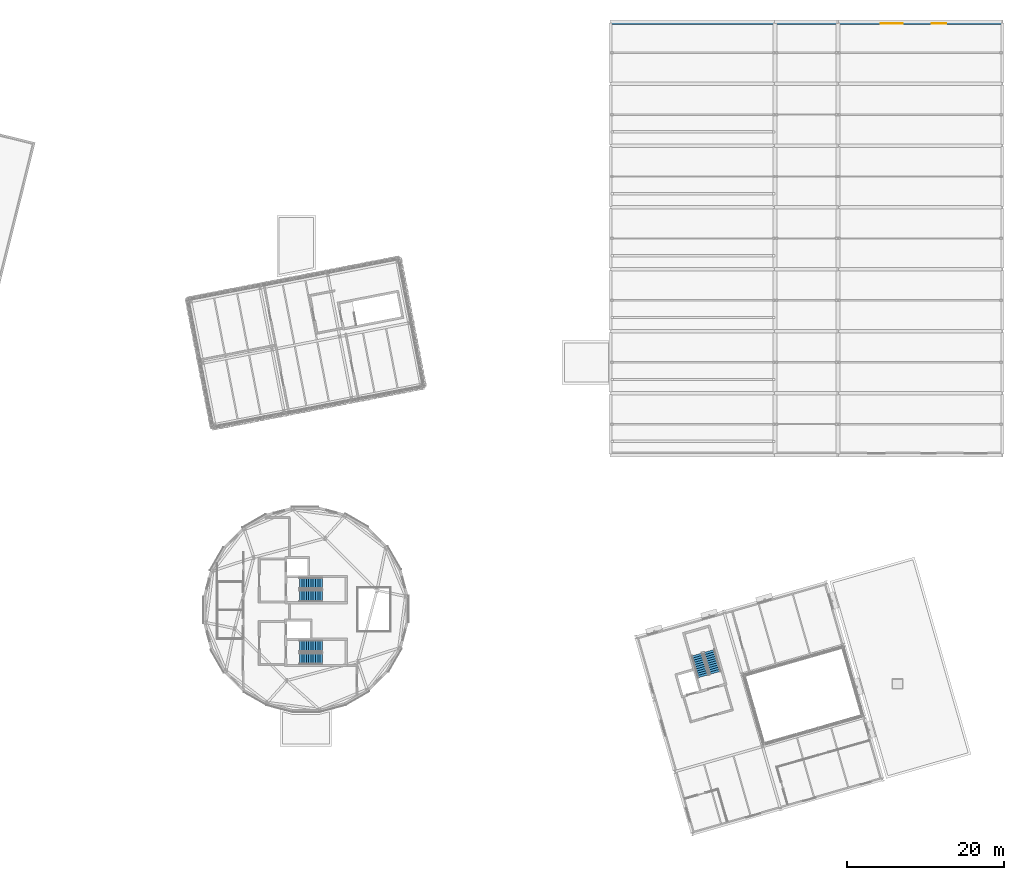
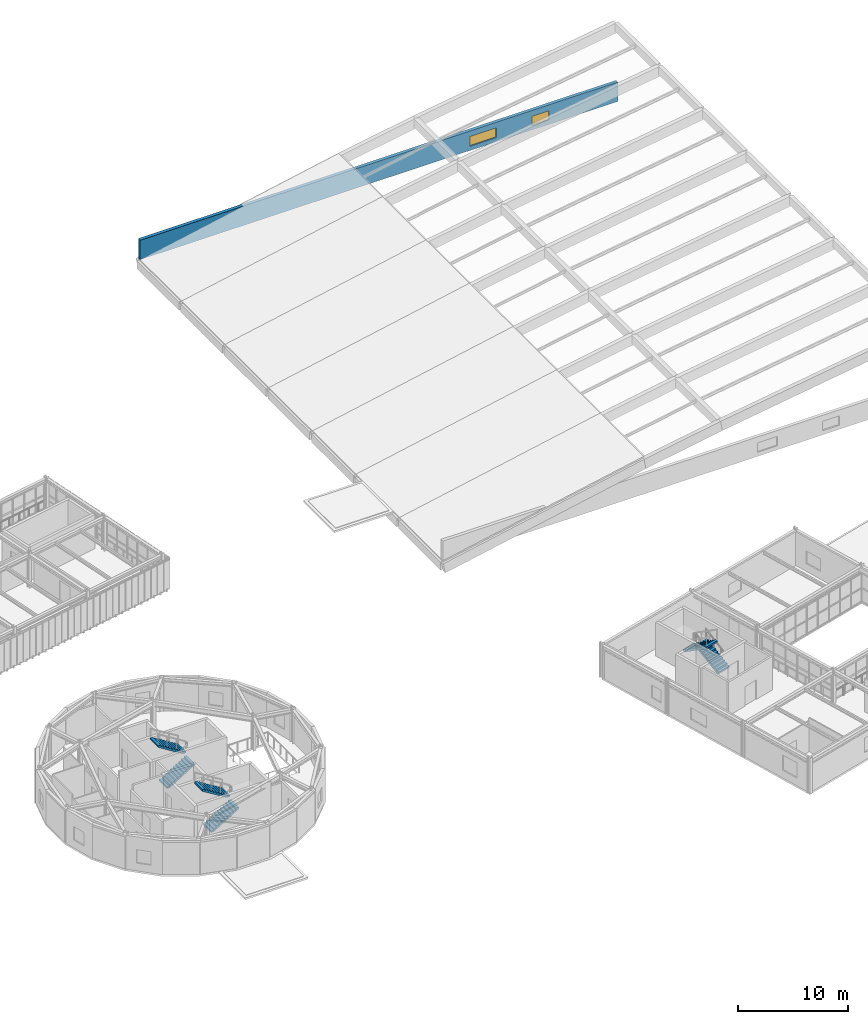
# One storey, part 32 of 44: 6 stair flights, 2 windows, 1 wall, 2 openings, 3 elements without a shape of their own.
"""IFC4 building model written with IfcOpenShell, lengths in metres."""

from ifc_helpers import new_model, si_unit, direction, frame, frame_2d, origin, place, context, subcontext, project, spatial, polyline, rectangle, outline, extrude, material, layer, layer_set, type_object, element, fill, aggregate, save


model = new_model("IFC4")

# Units and contexts
model_context = context("Model", 3, precision=1e-05, world=origin(), true_north=direction((0.0, 1.0)))
body_context = subcontext(model_context, "Body", "Model", "MODEL_VIEW")
ifc_project = project(units=[si_unit("LENGTHUNIT", "METRE"), si_unit("AREAUNIT", "SQUARE_METRE"), si_unit("VOLUMEUNIT", "CUBIC_METRE"), si_unit("PLANEANGLEUNIT", "RADIAN"), si_unit("MASSUNIT", "GRAM", prefix="KILO")], contexts=[model_context])

# Site, building, storey
site_placement = place(None, origin())
site = spatial("IfcSite", under=ifc_project, at=site_placement, CompositionType="ELEMENT")
building_placement = place(site_placement, origin())
building = spatial("IfcBuilding", under=site, at=building_placement, Name="Varnklinge Art Gallery", CompositionType="ELEMENT")
storey_placement = place(building_placement, frame((0.0, 0.0, 13.679931640625)))
storey = spatial("IfcBuildingStorey", under=building, at=storey_placement, Name="L03", CompositionType="ELEMENT", Elevation=13.679931640625)

# Wall, openings, windows
ifc_material_1 = material(Name="Precast concrete C40/50", Category="concrete")
ifc_layer = layer(ifc_material_1, 0.340087890625)
ifc_layer_set = layer_set([ifc_layer], Name="Precast concrete C40/50")
wall_type = type_object("IfcWallType", Name="EW-34", PredefinedType="SOLIDWALL", material=ifc_layer_set)
wall_placement = place(storey_placement, frame((114.39990234375, 113.300048828125, 0.0), z_axis=(0.0, 0.0, 1.0), x_axis=(1.0, 0.0, 0.0)))
wall = element("IfcWall", 1, at=wall_placement, inside=storey, type_object=wall_type, Name="L03 Shell Hall N Clerestory Monitor Wall", PredefinedType="SOLIDWALL", context=body_context, shape_type="SweptSolid", body=[
    extrude(rectangle(XDim=50.0, YDim=0.340087890625, at=frame_2d((25.0, 0.0))), origin(), (0.0, 0.0, 1.0), 2.150146484375),
])
opening_1_placement = place(wall_placement, frame((34.5, 0.0, 0.449951171875)))
opening_1 = element("IfcOpeningElement", 2, at=opening_1_placement, cuts=wall, Name="Opening SKY-02", PredefinedType="OPENING", context=body_context, shape_type="SweptSolid", body=[
    extrude(rectangle(XDim=2.800048828125, YDim=1.10009765625, at=frame_2d((1.39990234375, 0.550048828125))), frame((0.0, 0.179931640625, 0.0), z_axis=(0.0, -1.0, 0.0), x_axis=(1.0, 0.0, 0.0)), (0.0, 0.0, 1.0), 0.360107421875),
])
opening_2_placement = place(wall_placement, frame((41.0, 0.0, 0.449951171875)))
opening_2 = element("IfcOpeningElement", 3, at=opening_2_placement, cuts=wall, Name="Opening SKY-03", PredefinedType="OPENING", context=body_context, shape_type="SweptSolid", body=[
    extrude(rectangle(XDim=1.800048828125, YDim=1.050048828125, at=frame_2d((0.89990234375, 0.52490234375))), frame((0.0, 0.179931640625, 0.0), z_axis=(0.0, -1.0, 0.0), x_axis=(1.0, 0.0, 0.0)), (0.0, 0.0, 1.0), 0.360107421875),
])
ifc_material_2 = material(Name="Insulated Low-E Triple Glazing", Category="glass")
window_type_1 = type_object("IfcWindowType", Name="SKY-02", PartitioningType="SINGLE_PANEL", PredefinedType="SKYLIGHT", material=ifc_material_2)
window_1_placement = place(opening_1_placement, origin())
window_1 = element("IfcWindow", 4, at=window_1_placement, inside=storey, type_object=window_type_1, Name="L03 Window WIN-L03-045", OverallHeight=1.10009765625, OverallWidth=2.800048828125, PartitioningType="SINGLE_PANEL", PredefinedType="SKYLIGHT", context=body_context, shape_type="SweptSolid", body=[
    extrude(rectangle(XDim=2.800048828125, YDim=1.10009765625, at=frame_2d((1.39990234375, 0.550048828125))), frame((0.0, 0.030029296875, 0.0), z_axis=(0.0, -1.0, 0.0), x_axis=(1.0, 0.0, 0.0)), (0.0, 0.0, 1.0), 0.06005859375),
])
fill(opening_1, window_1)
ifc_material_3 = material(Name="Insulated Low-E Triple Glazing", Category="glass")
window_type_2 = type_object("IfcWindowType", Name="SKY-03", PartitioningType="SINGLE_PANEL", PredefinedType="SKYLIGHT", material=ifc_material_3)
window_2_placement = place(opening_2_placement, origin())
window_2 = element("IfcWindow", 5, at=window_2_placement, inside=storey, type_object=window_type_2, Name="L03 Window WIN-L03-046", OverallHeight=1.050048828125, OverallWidth=1.800048828125, PartitioningType="SINGLE_PANEL", PredefinedType="SKYLIGHT", context=body_context, shape_type="SweptSolid", body=[
    extrude(rectangle(XDim=1.800048828125, YDim=1.050048828125, at=frame_2d((0.89990234375, 0.52490234375))), frame((0.0, 0.030029296875, 0.0), z_axis=(0.0, -1.0, 0.0), x_axis=(1.0, 0.0, 0.0)), (0.0, 0.0, 1.0), 0.06005859375),
])
fill(opening_2, window_2)

# Stair, stair flights
ifc_material_4 = material(Name="Concrete C40/50", Category="concrete")
stair_type = type_object("IfcStairType", Name="STR-C3960", PredefinedType="HALF_TURN_STAIR", material=ifc_material_4)
stair_1_placement = place(storey_placement, origin())
stair_1 = element("IfcStair", 6, at=stair_1_placement, inside=storey, type_object=stair_type, Name="L03 Core C1 Stair ST-01", PredefinedType="HALF_TURN_STAIR")
ifc_material_5 = material(Name="Concrete C40/50", Category="concrete")
stair_flight_type = type_object("IfcStairFlightType", Name="FLT-C3960", PredefinedType="STRAIGHT", material=ifc_material_5)
stair_flight_1_placement = place(storey_placement, frame((74.699951171875, 32.22509765625, 0.0), z_axis=(0.0, 0.0, 1.0), x_axis=(1.0, 0.0, 0.0)))
stair_flight_1 = element("IfcStairFlight", 7, at=stair_flight_1_placement, type_object=stair_flight_type, Name="ST-01 flight 1", NumberOfRisers=11, NumberOfTreads=10, PredefinedType="STRAIGHT", RiserHeight=0.18, TreadLength=0.29, context=body_context, shape_type="SweptSolid", body=[
    extrude(outline(polyline([(0.0, 0.0), (0.0, 0.179931640625), (0.2900390625, 0.179931640625), (0.2900390625, 0.360107421875), (0.580078125, 0.360107421875), (0.580078125, 0.5400390625), (0.8701171875, 0.5400390625), (0.8701171875, 0.719970703125), (1.159912109375, 0.719970703125), (1.159912109375, 0.89990234375), (1.449951171875, 0.89990234375), (1.449951171875, 1.080078125), (1.739990234375, 1.080078125), (1.739990234375, 1.260009765625), (2.030029296875, 1.260009765625), (2.030029296875, 1.43994140625), (2.320068359375, 1.43994140625), (2.320068359375, 1.6201171875), (2.610107421875, 1.6201171875), (2.610107421875, 1.800048828125), (2.89990234375, 1.800048828125), (2.89990234375, 1.97998046875), (2.89990234375, 1.61181640625), (0.30322265625, 0.0), (0.0, 0.0)])), frame((0.0, 0.72509765625, 0.0), z_axis=(0.0, -1.0, 0.0), x_axis=(1.0, 0.0, 0.0)), (0.0, 0.0, 1.0), 1.449951171875),
])
stair_flight_2_placement = place(storey_placement, frame((77.60009765625, 33.8349609375, 1.97998046875), z_axis=(0.0, 0.0, 1.0), x_axis=(-1.0, 0.0, 0.0)))
stair_flight_2 = element("IfcStairFlight", 8, at=stair_flight_2_placement, type_object=stair_flight_type, Name="ST-01 flight 2", NumberOfRisers=11, NumberOfTreads=10, PredefinedType="STRAIGHT", RiserHeight=0.18, TreadLength=0.29, context=body_context, shape_type="SweptSolid", body=[
    extrude(outline(polyline([(0.0, 0.0), (0.0, 0.179931640625), (0.2900390625, 0.179931640625), (0.2900390625, 0.360107421875), (0.580078125, 0.360107421875), (0.580078125, 0.5400390625), (0.8701171875, 0.5400390625), (0.8701171875, 0.719970703125), (1.159912109375, 0.719970703125), (1.159912109375, 0.89990234375), (1.449951171875, 0.89990234375), (1.449951171875, 1.080078125), (1.739990234375, 1.080078125), (1.739990234375, 1.260009765625), (2.030029296875, 1.260009765625), (2.030029296875, 1.43994140625), (2.320068359375, 1.43994140625), (2.320068359375, 1.6201171875), (2.610107421875, 1.6201171875), (2.610107421875, 1.800048828125), (2.89990234375, 1.800048828125), (2.89990234375, 1.97998046875), (2.89990234375, 1.61181640625), (0.30322265625, 0.0), (0.0, 0.0)])), frame((0.0, 0.72509765625, 0.0), z_axis=(0.0, -1.0, 0.0), x_axis=(1.0, 0.0, 0.0)), (0.0, 0.0, 1.0), 1.449951171875),
])
aggregate(stair_1, [stair_flight_1, stair_flight_2])

stair_2_placement = place(storey_placement, origin())
stair_2 = element("IfcStair", 9, at=stair_2_placement, inside=storey, type_object=stair_type, Name="L03 Core C2 Stair ST-02", PredefinedType="HALF_TURN_STAIR")
stair_flight_3_placement = place(storey_placement, frame((74.699951171875, 40.22509765625, 0.0), z_axis=(0.0, 0.0, 1.0), x_axis=(1.0, 0.0, 0.0)))
stair_flight_3 = element("IfcStairFlight", 10, at=stair_flight_3_placement, type_object=stair_flight_type, Name="ST-02 flight 1", NumberOfRisers=11, NumberOfTreads=10, PredefinedType="STRAIGHT", RiserHeight=0.18, TreadLength=0.29, context=body_context, shape_type="SweptSolid", body=[
    extrude(outline(polyline([(0.0, 0.0), (0.0, 0.179931640625), (0.2900390625, 0.179931640625), (0.2900390625, 0.360107421875), (0.580078125, 0.360107421875), (0.580078125, 0.5400390625), (0.8701171875, 0.5400390625), (0.8701171875, 0.719970703125), (1.159912109375, 0.719970703125), (1.159912109375, 0.89990234375), (1.449951171875, 0.89990234375), (1.449951171875, 1.080078125), (1.739990234375, 1.080078125), (1.739990234375, 1.260009765625), (2.030029296875, 1.260009765625), (2.030029296875, 1.43994140625), (2.320068359375, 1.43994140625), (2.320068359375, 1.6201171875), (2.610107421875, 1.6201171875), (2.610107421875, 1.800048828125), (2.89990234375, 1.800048828125), (2.89990234375, 1.97998046875), (2.89990234375, 1.61181640625), (0.30322265625, 0.0), (0.0, 0.0)])), frame((0.0, 0.72509765625, 0.0), z_axis=(0.0, -1.0, 0.0), x_axis=(1.0, 0.0, 0.0)), (0.0, 0.0, 1.0), 1.449951171875),
])
stair_flight_4_placement = place(storey_placement, frame((77.60009765625, 41.8349609375, 1.97998046875), z_axis=(0.0, 0.0, 1.0), x_axis=(-1.0, 0.0, 0.0)))
stair_flight_4 = element("IfcStairFlight", 11, at=stair_flight_4_placement, type_object=stair_flight_type, Name="ST-02 flight 2", NumberOfRisers=11, NumberOfTreads=10, PredefinedType="STRAIGHT", RiserHeight=0.18, TreadLength=0.29, context=body_context, shape_type="SweptSolid", body=[
    extrude(outline(polyline([(0.0, 0.0), (0.0, 0.179931640625), (0.2900390625, 0.179931640625), (0.2900390625, 0.360107421875), (0.580078125, 0.360107421875), (0.580078125, 0.5400390625), (0.8701171875, 0.5400390625), (0.8701171875, 0.719970703125), (1.159912109375, 0.719970703125), (1.159912109375, 0.89990234375), (1.449951171875, 0.89990234375), (1.449951171875, 1.080078125), (1.739990234375, 1.080078125), (1.739990234375, 1.260009765625), (2.030029296875, 1.260009765625), (2.030029296875, 1.43994140625), (2.320068359375, 1.43994140625), (2.320068359375, 1.6201171875), (2.610107421875, 1.6201171875), (2.610107421875, 1.800048828125), (2.89990234375, 1.800048828125), (2.89990234375, 1.97998046875), (2.89990234375, 1.61181640625), (0.30322265625, 0.0), (0.0, 0.0)])), frame((0.0, 0.72509765625, 0.0), z_axis=(0.0, -1.0, 0.0), x_axis=(1.0, 0.0, 0.0)), (0.0, 0.0, 1.0), 1.449951171875),
])
aggregate(stair_2, [stair_flight_3, stair_flight_4])

stair_3_placement = place(storey_placement, origin())
stair_3 = element("IfcStair", 12, at=stair_3_placement, inside=storey, type_object=stair_type, Name="L03 Core C5 Stair ST-05", PredefinedType="HALF_TURN_STAIR")
stair_flight_5_placement = place(storey_placement, frame((127.765625, 30.408447265625, 0.0), z_axis=(0.0, 0.0, 1.0), x_axis=(-0.275637355817, 0.961261695938, 0.0)))
stair_flight_5 = element("IfcStairFlight", 13, at=stair_flight_5_placement, type_object=stair_flight_type, Name="ST-05 flight 1", NumberOfRisers=11, NumberOfTreads=10, PredefinedType="STRAIGHT", RiserHeight=0.18, TreadLength=0.29, context=body_context, shape_type="SweptSolid", body=[
    extrude(outline(polyline([(0.0, 0.0), (0.0, 0.179931640625), (0.2900390625, 0.179931640625), (0.2900390625, 0.360107421875), (0.580078125, 0.360107421875), (0.580078125, 0.5400390625), (0.8701171875, 0.5400390625), (0.8701171875, 0.719970703125), (1.159912109375, 0.719970703125), (1.159912109375, 0.89990234375), (1.449951171875, 0.89990234375), (1.449951171875, 1.080078125), (1.739990234375, 1.080078125), (1.739990234375, 1.260009765625), (2.030029296875, 1.260009765625), (2.030029296875, 1.43994140625), (2.320068359375, 1.43994140625), (2.320068359375, 1.6201171875), (2.610107421875, 1.6201171875), (2.610107421875, 1.800048828125), (2.89990234375, 1.800048828125), (2.89990234375, 1.97998046875), (2.89990234375, 1.61181640625), (0.30322265625, 0.0), (0.0, 0.0)])), frame((0.0, 0.72509765625, 0.0), z_axis=(0.0, -1.0, 0.0), x_axis=(1.0, 0.0, 0.0)), (0.0, 0.0, 1.0), 1.449951171875),
])
stair_flight_6_placement = place(storey_placement, frame((125.418701171875, 32.752197265625, 1.97998046875), z_axis=(0.0, 0.0, 1.0), x_axis=(0.275637355817, -0.961261695938, 0.0)))
stair_flight_6 = element("IfcStairFlight", 14, at=stair_flight_6_placement, type_object=stair_flight_type, Name="ST-05 flight 2", NumberOfRisers=11, NumberOfTreads=10, PredefinedType="STRAIGHT", RiserHeight=0.18, TreadLength=0.29, context=body_context, shape_type="SweptSolid", body=[
    extrude(outline(polyline([(0.0, 0.0), (0.0, 0.179931640625), (0.2900390625, 0.179931640625), (0.2900390625, 0.360107421875), (0.580078125, 0.360107421875), (0.580078125, 0.5400390625), (0.8701171875, 0.5400390625), (0.8701171875, 0.719970703125), (1.159912109375, 0.719970703125), (1.159912109375, 0.89990234375), (1.449951171875, 0.89990234375), (1.449951171875, 1.080078125), (1.739990234375, 1.080078125), (1.739990234375, 1.260009765625), (2.030029296875, 1.260009765625), (2.030029296875, 1.43994140625), (2.320068359375, 1.43994140625), (2.320068359375, 1.6201171875), (2.610107421875, 1.6201171875), (2.610107421875, 1.800048828125), (2.89990234375, 1.800048828125), (2.89990234375, 1.97998046875), (2.89990234375, 1.61181640625), (0.30322265625, 0.0), (0.0, 0.0)])), frame((0.0, 0.72509765625, 0.0), z_axis=(0.0, -1.0, 0.0), x_axis=(1.0, 0.0, 0.0)), (0.0, 0.0, 1.0), 1.449951171875),
])
aggregate(stair_3, [stair_flight_5, stair_flight_6])

save(model, "model.ifc")
